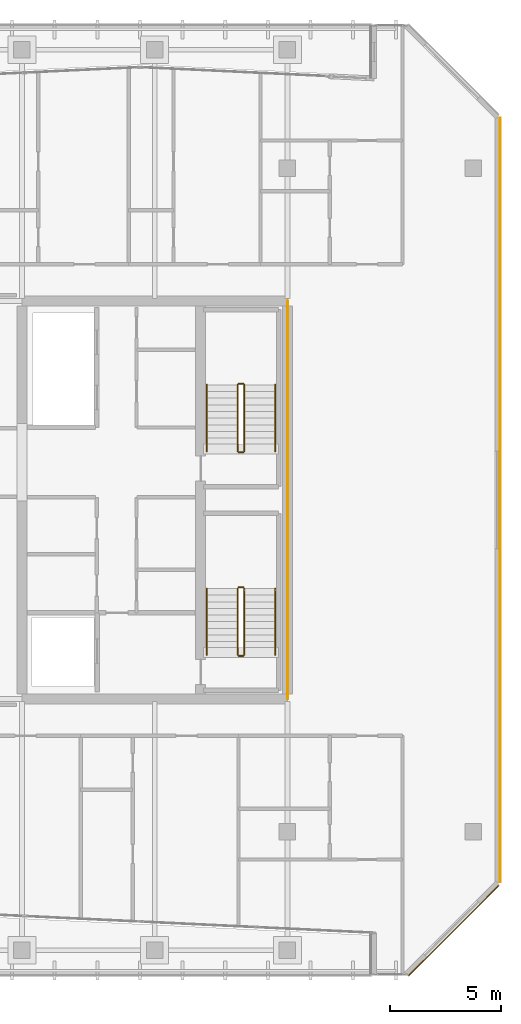
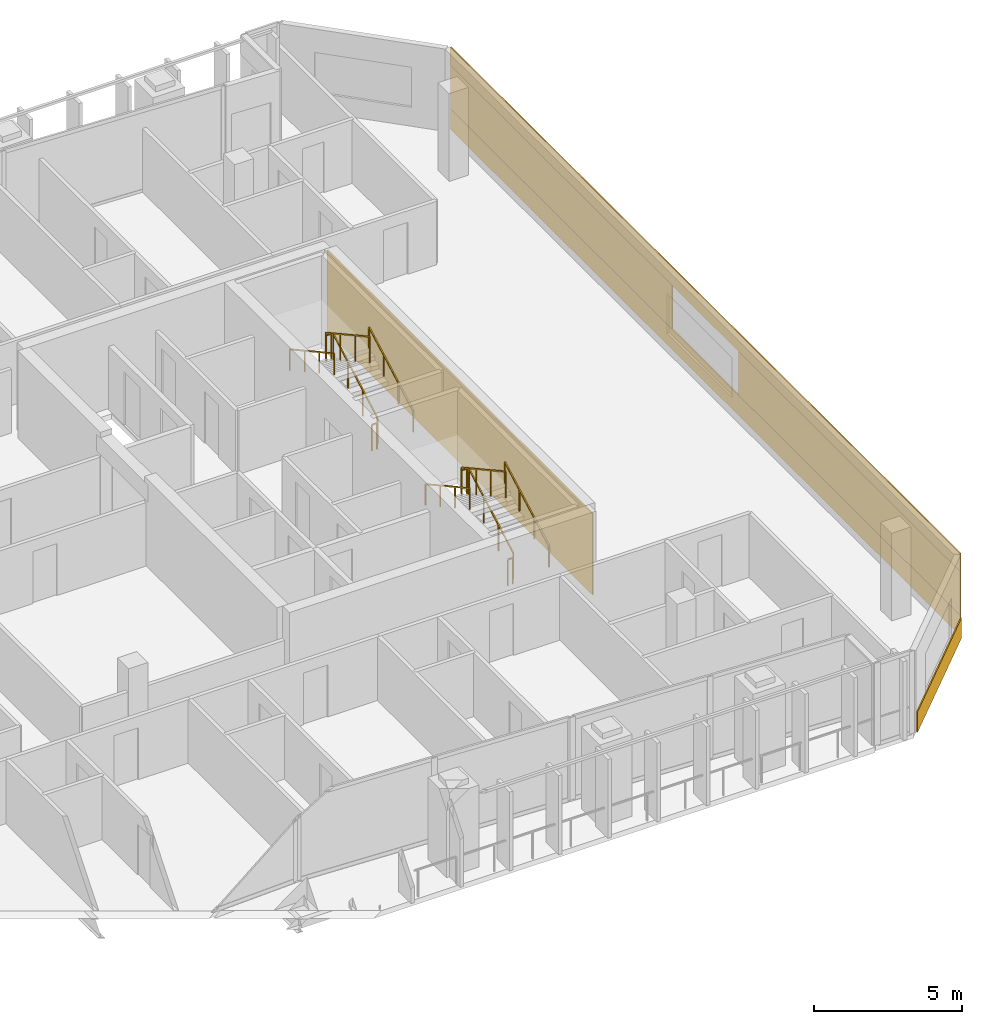
# One storey, part 30 of 31: 12 railings, 6 coverings.
"""IFC4 building model written with IfcOpenShell, lengths in metres."""

from ifc_helpers import new_model, si_unit, direction, frame, origin, origin_2d, place, context, subcontext, project, spatial, rectangle, extrude, material, layer, layer_set, type_object, element, save


model = new_model("IFC4")

# Units and contexts
model_context = context("Model", 3, precision=1e-05, world=origin(), true_north=direction((0.0, 1.0)))
body_context = subcontext(model_context, "Body", "Model", "MODEL_VIEW")
ifc_project = project(units=[si_unit("LENGTHUNIT", "METRE"), si_unit("AREAUNIT", "SQUARE_METRE"), si_unit("VOLUMEUNIT", "CUBIC_METRE"), si_unit("PLANEANGLEUNIT", "RADIAN"), si_unit("MASSUNIT", "GRAM", prefix="KILO")], contexts=[model_context])

# Site, building, storey
site_placement = place(None, origin())
site = spatial("IfcSite", under=ifc_project, at=site_placement, CompositionType="ELEMENT")
building_placement = place(site_placement, origin())
building = spatial("IfcBuilding", under=site, at=building_placement, Name="Tanjung Sevakor Pilgrim Tower", CompositionType="ELEMENT")
storey_placement = place(building_placement, frame((0.0, 0.0, 208.22998046875)))
storey = spatial("IfcBuildingStorey", under=building, at=storey_placement, Name="L58", CompositionType="ELEMENT", Elevation=208.22998046875)

# Coverings
ifc_material_1 = material(Name="Reconstructed Limestone Cladding", Category="masonry")
ifc_layer = layer(ifc_material_1, 0.044921875)
ifc_layer_set = layer_set([ifc_layer], Name="COV-CLAD-LIMESTONE")
covering_type = type_object("IfcCoveringType", Name="COV-CLAD-LIMESTONE", PredefinedType="CLADDING", material=ifc_layer_set)
covering_1_placement = place(storey_placement, frame((97.515869140625, 14.134033203125, 0.009765625), z_axis=(0.0, 0.0, 1.0), x_axis=(0.707106781187, 0.707106781187, 0.0)))
element("IfcCovering", 1, at=covering_1_placement, inside=storey, type_object=covering_type, Name="L58 Warm Limestone Sill Spandrel EW-CHM-L58-MAIN-15-1", PredefinedType="CLADDING", context=body_context, shape_type="SweptSolid", body=[
    extrude(rectangle(XDim=5.7685546875, YDim=0.044921875, at=origin_2d()), origin(), (0.0, 0.0, 1.0), 0.840087890625),
])
covering_2_placement = place(storey_placement, frame((99.62255859375, 33.60009765625, 0.009765625), z_axis=(0.0, 0.0, 1.0), x_axis=(0.0, 1.0, 0.0)))
element("IfcCovering", 2, at=covering_2_placement, inside=storey, type_object=covering_type, Name="L58 Warm Limestone Sill Spandrel EW-L58-MAIN-17-1", PredefinedType="CLADDING", context=body_context, shape_type="SweptSolid", body=[
    extrude(rectangle(XDim=34.52880859375, YDim=0.044921875, at=origin_2d()), origin(), (0.0, 0.0, 1.0), 0.840087890625),
])
covering_3_placement = place(storey_placement, frame((99.62255859375, 33.60009765625, 2.66015625), z_axis=(0.0, 0.0, 1.0), x_axis=(0.0, 1.0, 0.0)))
element("IfcCovering", 3, at=covering_3_placement, inside=storey, type_object=covering_type, Name="L58 Warm Limestone Cornice Spandrel EW-L58-MAIN-17", PredefinedType="CLADDING", context=body_context, shape_type="SweptSolid", body=[
    extrude(rectangle(XDim=34.56884765625, YDim=0.044921875, at=origin_2d()), origin(), (0.0, 0.0, 1.0), 0.739990234375),
])
for number, where, z_axis, x_axis, name in (
    (4, (99.62255859375, 23.8427734375, 0.85009765625), (0.0, 0.0, 1.0), (0.0, 1.0, 0.0), "L58 Warm Limestone Pier Panel EW-L58-MAIN-17-1"),
    (5, (99.62255859375, 43.357177734375, 0.85009765625), (0.0, 0.0, 1.0), (0.0, 1.0, 0.0), "L58 Warm Limestone Pier Panel EW-L58-MAIN-17-2"),
):
    element("IfcCovering", number, at=place(storey_placement, frame(where, z_axis=z_axis, x_axis=x_axis)), inside=storey, type_object=covering_type, Name=name, PredefinedType="CLADDING", context=body_context, shape_type="SweptSolid", body=[
        extrude(rectangle(XDim=15.014404296875, YDim=0.044921875, at=origin_2d()), origin(), (0.0, 0.0, 1.0), 1.81005859375),
    ])
covering_4_placement = place(storey_placement, frame((90.0224609375, 33.60009765625, 0.02001953125), z_axis=(0.0, 0.0, 1.0), x_axis=(1.0, 0.0, 0.0)))
element("IfcCovering", 6, at=covering_4_placement, inside=storey, type_object=covering_type, Name="L58 Expressed Core Warm Limestone Cladding E", PredefinedType="CLADDING", context=body_context, shape_type="SweptSolid", body=[
    extrude(rectangle(XDim=0.044921875, YDim=18.0, at=origin_2d()), origin(), (0.0, 0.0, 1.0), 3.3701171875),
])

# Railings
ifc_material_2 = material(Name="Steel S355J2", Category="steel")
railing_type_1 = type_object("IfcRailingType", Name="RL-STAIR-GUARD", PredefinedType="GUARDRAIL", material=ifc_material_2)
railing_1_placement = place(storey_placement, frame((88.050048828125, 26.60009765625, 0.1650390625)))
element("IfcRailing", 7, at=railing_1_placement, inside=storey, type_object=railing_type_1, Name="L58 TS-E1 stair guard 1", PredefinedType="GUARDRAIL", context=body_context, shape_type="SweptSolid", body=[
    extrude(rectangle(XDim=0.0479, YDim=0.0479), frame((0.0, 0.0, 1.076171875), z_axis=(0.0, 0.876227952683, 0.48189685093), x_axis=(-1.0, 0.0, 0.0)), (0.0, 0.0, 1.0), 3.423828125),
    extrude(rectangle(XDim=0.042, YDim=0.042), origin(), (0.0, 0.0, 1.0), 1.052001953125),
    extrude(rectangle(XDim=0.042, YDim=0.042), frame((0.0, 1.0, 0.550048828125)), (0.0, 0.0, 1.0), 1.052001953125),
    extrude(rectangle(XDim=0.042, YDim=0.042), frame((0.0, 2.0, 1.099853515625)), (0.0, 0.0, 1.0), 1.052001953125),
    extrude(rectangle(XDim=0.042, YDim=0.042), frame((0.0, 3.0, 1.64990234375)), (0.0, 0.0, 1.0), 1.052001953125),
])
railing_2_placement = place(storey_placement, frame((88.0, 29.64990234375, 1.81494140625)))
element("IfcRailing", 8, at=railing_2_placement, inside=storey, type_object=railing_type_1, Name="L58 TS-E1 stair guard 2", PredefinedType="GUARDRAIL", context=body_context, shape_type="SweptSolid", body=[
    extrude(rectangle(XDim=0.0479, YDim=0.0479), frame((0.0, 0.0, 1.076171875), z_axis=(-1.0, 0.0, 0.0), x_axis=(0.0, -1.0, 0.0)), (0.0, 0.0, 1.0), 0.199951171875),
    extrude(rectangle(XDim=0.042, YDim=0.042), origin(), (0.0, 0.0, 1.0), 1.052001953125),
    extrude(rectangle(XDim=0.042, YDim=0.042), frame((-0.199951171875, 0.0, 0.0)), (0.0, 0.0, 1.0), 1.052001953125),
])
railing_3_placement = place(storey_placement, frame((87.75, 29.60009765625, 1.97998046875)))
element("IfcRailing", 9, at=railing_3_placement, inside=storey, type_object=railing_type_1, Name="L58 TS-E1 stair guard 3", PredefinedType="GUARDRAIL", context=body_context, shape_type="SweptSolid", body=[
    extrude(rectangle(XDim=0.0479, YDim=0.0479), frame((0.0, 0.0, 1.076171875), z_axis=(0.0, -0.876197842262, 0.481951596342), x_axis=(1.0, 0.0, 0.0)), (0.0, 0.0, 1.0), 3.423828125),
    extrude(rectangle(XDim=0.042, YDim=0.042), origin(), (0.0, 0.0, 1.0), 1.052001953125),
    extrude(rectangle(XDim=0.042, YDim=0.042), frame((0.0, -1.0, 0.550048828125)), (0.0, 0.0, 1.0), 1.052001953125),
    extrude(rectangle(XDim=0.042, YDim=0.042), frame((0.0, -2.0, 1.10009765625)), (0.0, 0.0, 1.0), 1.052001953125),
    extrude(rectangle(XDim=0.042, YDim=0.042), frame((0.0, -3.0, 1.650146484375)), (0.0, 0.0, 1.0), 1.052001953125),
])
railing_4_placement = place(storey_placement, frame((88.0, 26.550048828125, 0.0)))
element("IfcRailing", 10, at=railing_4_placement, inside=storey, type_object=railing_type_1, Name="L58 TS-E1 stair guard 4", PredefinedType="GUARDRAIL", context=body_context, shape_type="SweptSolid", body=[
    extrude(rectangle(XDim=0.0479, YDim=0.0479), frame((0.0, 0.0, 1.076171875), z_axis=(-1.0, 0.0, 0.0), x_axis=(0.0, -1.0, 0.0)), (0.0, 0.0, 1.0), 0.199951171875),
    extrude(rectangle(XDim=0.042, YDim=0.042), origin(), (0.0, 0.0, 1.0), 1.052001953125),
    extrude(rectangle(XDim=0.042, YDim=0.042), frame((-0.199951171875, 0.0, 0.0)), (0.0, 0.0, 1.0), 1.052001953125),
])
railing_5_placement = place(storey_placement, frame((88.050048828125, 35.800048828125, 0.1650390625)))
element("IfcRailing", 11, at=railing_5_placement, inside=storey, type_object=railing_type_1, Name="L58 TS-E2 stair guard 1", PredefinedType="GUARDRAIL", context=body_context, shape_type="SweptSolid", body=[
    extrude(rectangle(XDim=0.0479, YDim=0.0479), frame((0.0, 0.0, 1.076171875), z_axis=(0.0, 0.876227952683, 0.48189685093), x_axis=(-1.0, 0.0, 0.0)), (0.0, 0.0, 1.0), 3.423828125),
    extrude(rectangle(XDim=0.042, YDim=0.042), origin(), (0.0, 0.0, 1.0), 1.052001953125),
    extrude(rectangle(XDim=0.042, YDim=0.042), frame((0.0, 1.0, 0.550048828125)), (0.0, 0.0, 1.0), 1.052001953125),
    extrude(rectangle(XDim=0.042, YDim=0.042), frame((0.0, 2.0, 1.099853515625)), (0.0, 0.0, 1.0), 1.052001953125),
    extrude(rectangle(XDim=0.042, YDim=0.042), frame((0.0, 3.0, 1.64990234375)), (0.0, 0.0, 1.0), 1.052001953125),
])
railing_6_placement = place(storey_placement, frame((88.0, 38.85009765625, 1.81494140625)))
element("IfcRailing", 12, at=railing_6_placement, inside=storey, type_object=railing_type_1, Name="L58 TS-E2 stair guard 2", PredefinedType="GUARDRAIL", context=body_context, shape_type="SweptSolid", body=[
    extrude(rectangle(XDim=0.0479, YDim=0.0479), frame((0.0, 0.0, 1.076171875), z_axis=(-1.0, 0.0, 0.0), x_axis=(0.0, -1.0, 0.0)), (0.0, 0.0, 1.0), 0.199951171875),
    extrude(rectangle(XDim=0.042, YDim=0.042), origin(), (0.0, 0.0, 1.0), 1.052001953125),
    extrude(rectangle(XDim=0.042, YDim=0.042), frame((-0.199951171875, 0.0, 0.0)), (0.0, 0.0, 1.0), 1.052001953125),
])
railing_7_placement = place(storey_placement, frame((87.75, 38.800048828125, 1.97998046875)))
element("IfcRailing", 13, at=railing_7_placement, inside=storey, type_object=railing_type_1, Name="L58 TS-E2 stair guard 3", PredefinedType="GUARDRAIL", context=body_context, shape_type="SweptSolid", body=[
    extrude(rectangle(XDim=0.0479, YDim=0.0479), frame((0.0, 0.0, 1.076171875), z_axis=(0.0, -0.876197842262, 0.481951596342), x_axis=(1.0, 0.0, 0.0)), (0.0, 0.0, 1.0), 3.423828125),
    extrude(rectangle(XDim=0.042, YDim=0.042), origin(), (0.0, 0.0, 1.0), 1.052001953125),
    extrude(rectangle(XDim=0.042, YDim=0.042), frame((0.0, -1.0, 0.550048828125)), (0.0, 0.0, 1.0), 1.052001953125),
    extrude(rectangle(XDim=0.042, YDim=0.042), frame((0.0, -2.0, 1.10009765625)), (0.0, 0.0, 1.0), 1.052001953125),
    extrude(rectangle(XDim=0.042, YDim=0.042), frame((0.0, -3.0, 1.650146484375)), (0.0, 0.0, 1.0), 1.052001953125),
])
railing_8_placement = place(storey_placement, frame((88.0, 35.75, 0.0)))
element("IfcRailing", 14, at=railing_8_placement, inside=storey, type_object=railing_type_1, Name="L58 TS-E2 stair guard 4", PredefinedType="GUARDRAIL", context=body_context, shape_type="SweptSolid", body=[
    extrude(rectangle(XDim=0.0479, YDim=0.0479), frame((0.0, 0.0, 1.076171875), z_axis=(-1.0, 0.0, 0.0), x_axis=(0.0, -1.0, 0.0)), (0.0, 0.0, 1.0), 0.199951171875),
    extrude(rectangle(XDim=0.042, YDim=0.042), origin(), (0.0, 0.0, 1.0), 1.052001953125),
    extrude(rectangle(XDim=0.042, YDim=0.042), frame((-0.199951171875, 0.0, 0.0)), (0.0, 0.0, 1.0), 1.052001953125),
])
ifc_material_3 = material(Name="Steel S355J2", Category="steel")
railing_type_2 = type_object("IfcRailingType", Name="RL-STAIR-HAND", PredefinedType="HANDRAIL", material=ifc_material_3)
railing_9_placement = place(storey_placement, frame((89.449951171875, 26.60009765625, 0.1650390625)))
element("IfcRailing", 15, at=railing_9_placement, inside=storey, type_object=railing_type_2, Name="L58 TS-E1 stair handrail 1", PredefinedType="HANDRAIL", context=body_context, shape_type="SweptSolid", body=[
    extrude(rectangle(XDim=0.0479, YDim=0.0479), frame((0.0, 0.0, 0.8759765625), z_axis=(0.0, 0.876227952683, 0.48189685093), x_axis=(-1.0, 0.0, 0.0)), (0.0, 0.0, 1.0), 3.423828125),
    extrude(rectangle(XDim=0.042, YDim=0.042), origin(), (0.0, 0.0, 1.0), 0.851806640625),
    extrude(rectangle(XDim=0.042, YDim=0.042), frame((0.0, 1.0, 0.550048828125)), (0.0, 0.0, 1.0), 0.851806640625),
    extrude(rectangle(XDim=0.042, YDim=0.042), frame((0.0, 2.0, 1.099853515625)), (0.0, 0.0, 1.0), 0.851806640625),
    extrude(rectangle(XDim=0.042, YDim=0.042), frame((0.0, 3.0, 1.64990234375)), (0.0, 0.0, 1.0), 0.851806640625),
])
railing_10_placement = place(storey_placement, frame((86.35009765625, 29.60009765625, 1.97998046875)))
element("IfcRailing", 16, at=railing_10_placement, inside=storey, type_object=railing_type_2, Name="L58 TS-E1 stair handrail 2", PredefinedType="HANDRAIL", context=body_context, shape_type="SweptSolid", body=[
    extrude(rectangle(XDim=0.0479, YDim=0.0479), frame((0.0, 0.0, 0.8759765625), z_axis=(0.0, -0.876197842262, 0.481951596342), x_axis=(1.0, 0.0, 0.0)), (0.0, 0.0, 1.0), 3.423828125),
    extrude(rectangle(XDim=0.042, YDim=0.042), origin(), (0.0, 0.0, 1.0), 0.851806640625),
    extrude(rectangle(XDim=0.042, YDim=0.042), frame((0.0, -1.0, 0.550048828125)), (0.0, 0.0, 1.0), 0.851806640625),
    extrude(rectangle(XDim=0.042, YDim=0.042), frame((0.0, -2.0, 1.10009765625)), (0.0, 0.0, 1.0), 0.851806640625),
    extrude(rectangle(XDim=0.042, YDim=0.042), frame((0.0, -3.0, 1.650146484375)), (0.0, 0.0, 1.0), 0.851806640625),
])
railing_11_placement = place(storey_placement, frame((89.449951171875, 35.800048828125, 0.1650390625)))
element("IfcRailing", 17, at=railing_11_placement, inside=storey, type_object=railing_type_2, Name="L58 TS-E2 stair handrail 1", PredefinedType="HANDRAIL", context=body_context, shape_type="SweptSolid", body=[
    extrude(rectangle(XDim=0.0479, YDim=0.0479), frame((0.0, 0.0, 0.8759765625), z_axis=(0.0, 0.876227952683, 0.48189685093), x_axis=(-1.0, 0.0, 0.0)), (0.0, 0.0, 1.0), 3.423828125),
    extrude(rectangle(XDim=0.042, YDim=0.042), origin(), (0.0, 0.0, 1.0), 0.851806640625),
    extrude(rectangle(XDim=0.042, YDim=0.042), frame((0.0, 1.0, 0.550048828125)), (0.0, 0.0, 1.0), 0.851806640625),
    extrude(rectangle(XDim=0.042, YDim=0.042), frame((0.0, 2.0, 1.099853515625)), (0.0, 0.0, 1.0), 0.851806640625),
    extrude(rectangle(XDim=0.042, YDim=0.042), frame((0.0, 3.0, 1.64990234375)), (0.0, 0.0, 1.0), 0.851806640625),
])
railing_12_placement = place(storey_placement, frame((86.35009765625, 38.800048828125, 1.97998046875)))
element("IfcRailing", 18, at=railing_12_placement, inside=storey, type_object=railing_type_2, Name="L58 TS-E2 stair handrail 2", PredefinedType="HANDRAIL", context=body_context, shape_type="SweptSolid", body=[
    extrude(rectangle(XDim=0.0479, YDim=0.0479), frame((0.0, 0.0, 0.8759765625), z_axis=(0.0, -0.876197842262, 0.481951596342), x_axis=(1.0, 0.0, 0.0)), (0.0, 0.0, 1.0), 3.423828125),
    extrude(rectangle(XDim=0.042, YDim=0.042), origin(), (0.0, 0.0, 1.0), 0.851806640625),
    extrude(rectangle(XDim=0.042, YDim=0.042), frame((0.0, -1.0, 0.550048828125)), (0.0, 0.0, 1.0), 0.851806640625),
    extrude(rectangle(XDim=0.042, YDim=0.042), frame((0.0, -2.0, 1.10009765625)), (0.0, 0.0, 1.0), 0.851806640625),
    extrude(rectangle(XDim=0.042, YDim=0.042), frame((0.0, -3.0, 1.650146484375)), (0.0, 0.0, 1.0), 0.851806640625),
])

save(model, "model.ifc")
